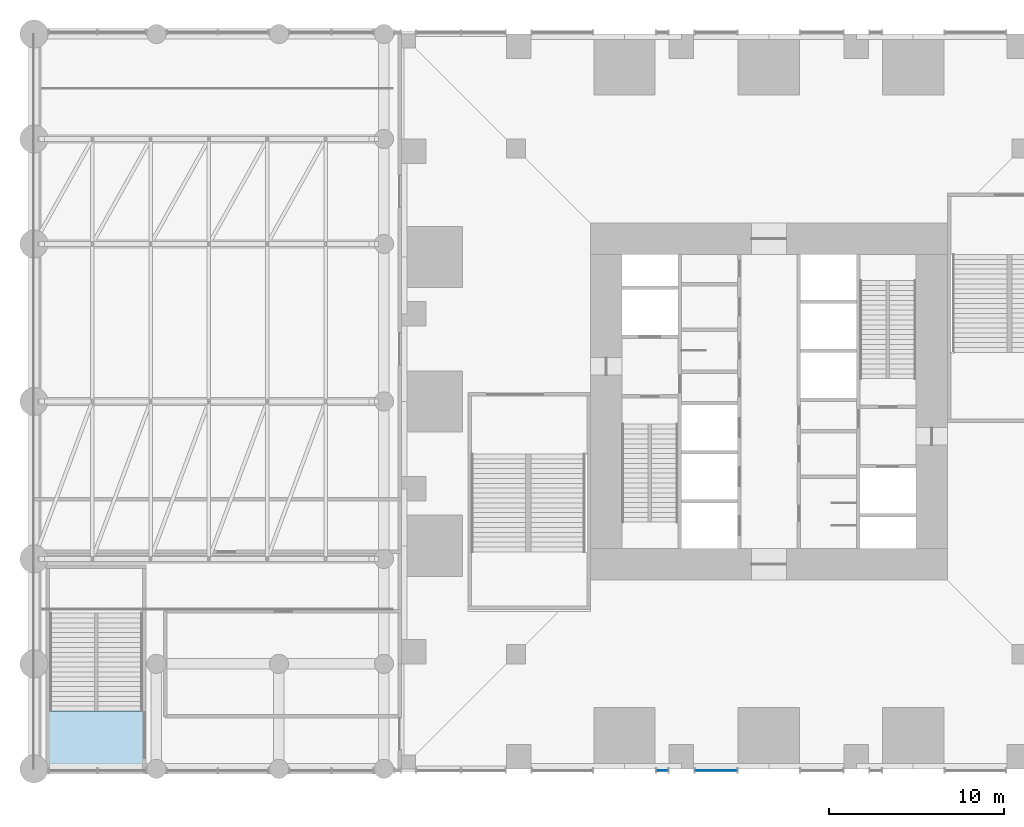
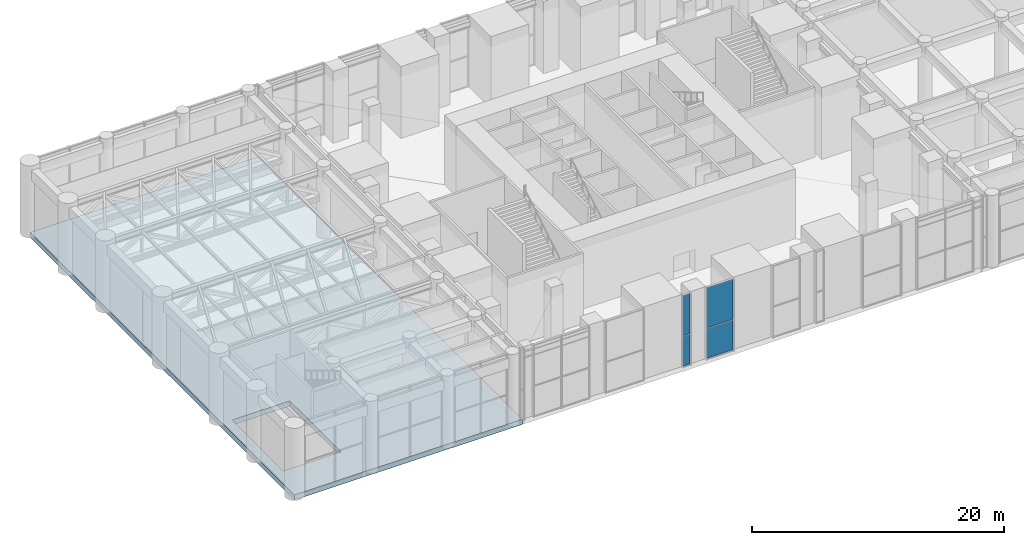
# One storey, part 16 of 30: 4 plates, 1 slab, 2 elements without a shape of their own.
"""IFC4 building model written with IfcOpenShell, lengths in metres."""

from ifc_helpers import new_model, si_unit, direction, frame, origin, origin_2d, place, context, subcontext, project, spatial, polyline, rectangle, outline, extrude, material, layer, layer_set, type_object, element, aggregate, save


model = new_model("IFC4")

# Units and contexts
model_context = context("Model", 3, precision=1e-05, world=origin(), true_north=direction((0.0, 1.0)))
body_context = subcontext(model_context, "Body", "Model", "MODEL_VIEW")
ifc_project = project(units=[si_unit("LENGTHUNIT", "METRE"), si_unit("AREAUNIT", "SQUARE_METRE"), si_unit("VOLUMEUNIT", "CUBIC_METRE"), si_unit("PLANEANGLEUNIT", "RADIAN"), si_unit("MASSUNIT", "GRAM", prefix="KILO")], contexts=[model_context])

# Site, building, storey
site_placement = place(None, origin())
site = spatial("IfcSite", under=ifc_project, at=site_placement, CompositionType="ELEMENT")
building_placement = place(site_placement, origin())
building = spatial("IfcBuilding", under=site, at=building_placement, Name="Svetlomir Tower", CompositionType="ELEMENT")
storey_placement = place(building_placement, frame((0.0, 0.0, 11.0)))
storey = spatial("IfcBuildingStorey", under=building, at=storey_placement, Name="L02", CompositionType="ELEMENT", Elevation=11.0)

# Curtain wall, plates
ifc_material_1 = material(Name="Bronze anodised aluminium curtain wall", Category="aluminium")
curtain_wall_type = type_object("IfcCurtainWallType", Name="CURTAIN WALL CW5 PODIUM", PredefinedType="NOTDEFINED", material=ifc_material_1)
curtain_wall_1_placement = place(storey_placement, origin())
curtain_wall_1 = element("IfcCurtainWall", 1, at=curtain_wall_1_placement, inside=storey, type_object=curtain_wall_type, Name="Curtain wall CW5 L02", PredefinedType="NOTDEFINED")
ifc_material_2 = material(Name="Tinted double glazed unit", Category="glass")
ifc_layer_1 = layer(ifc_material_2, 0.0400390625)
ifc_layer_set_1 = layer_set([ifc_layer_1], Name="Tinted double glazed unit")
plate_type = type_object("IfcPlateType", Name="CW5 GLAZED PANEL 40", PredefinedType="CURTAIN_PANEL", material=ifc_layer_set_1)
plate_1_placement = place(storey_placement, frame((14.89990234375, -0.10009765625, 0.080078125), z_axis=(0.0, 0.0, 1.0), x_axis=(1.0, 0.0, 0.0)))
plate_1 = element("IfcPlate", 2, at=plate_1_placement, type_object=plate_type, Name="CW5 panel 1.1", PredefinedType="CURTAIN_PANEL", context=body_context, shape_type="SweptSolid", body=[
    extrude(rectangle(XDim=0.639892578125, YDim=0.0400390625, at=origin_2d()), origin(), (0.0, 0.0, 1.0), 2.8798828125),
])
plate_2_placement = place(storey_placement, frame((14.89990234375, -0.10009765625, 3.0400390625), z_axis=(0.0, 0.0, 1.0), x_axis=(1.0, 0.0, 0.0)))
plate_2 = element("IfcPlate", 3, at=plate_2_placement, type_object=plate_type, Name="CW5 panel 1.2", PredefinedType="CURTAIN_PANEL", context=body_context, shape_type="SweptSolid", body=[
    extrude(rectangle(XDim=0.639892578125, YDim=0.0400390625, at=origin_2d()), origin(), (0.0, 0.0, 1.0), 3.8798828125),
])
aggregate(curtain_wall_1, [plate_1, plate_2])

curtain_wall_2_placement = place(storey_placement, origin())
curtain_wall_2 = element("IfcCurtainWall", 4, at=curtain_wall_2_placement, inside=storey, type_object=curtain_wall_type, Name="Curtain wall CW5 L02", PredefinedType="NOTDEFINED")
plate_3_placement = place(storey_placement, frame((17.97509765625, -0.10009765625, 0.080078125), z_axis=(0.0, 0.0, 1.0), x_axis=(1.0, 0.0, 0.0)))
plate_3 = element("IfcPlate", 5, at=plate_3_placement, type_object=plate_type, Name="CW5 panel 1.1", PredefinedType="CURTAIN_PANEL", context=body_context, shape_type="SweptSolid", body=[
    extrude(rectangle(XDim=2.389892578125, YDim=0.0400390625, at=origin_2d()), origin(), (0.0, 0.0, 1.0), 2.8798828125),
])
plate_4_placement = place(storey_placement, frame((17.97509765625, -0.10009765625, 3.0400390625), z_axis=(0.0, 0.0, 1.0), x_axis=(1.0, 0.0, 0.0)))
plate_4 = element("IfcPlate", 6, at=plate_4_placement, type_object=plate_type, Name="CW5 panel 1.2", PredefinedType="CURTAIN_PANEL", context=body_context, shape_type="SweptSolid", body=[
    extrude(rectangle(XDim=2.389892578125, YDim=0.0400390625, at=origin_2d()), origin(), (0.0, 0.0, 1.0), 3.8798828125),
])
aggregate(curtain_wall_2, [plate_3, plate_4])

# Slab
ifc_material_3 = material(Name="Concrete C60/75", Category="concrete")
ifc_layer_2 = layer(ifc_material_3, 0.5)
ifc_layer_set_2 = layer_set([ifc_layer_2], Name="Concrete C60/75")
slab_type = type_object("IfcSlabType", Name="FLOOR SLAB 500", PredefinedType="FLOOR", material=ifc_layer_set_2)
slab_placement = place(storey_placement, frame((0.0, 0.0, -0.5)))
element("IfcSlab", 7, at=slab_placement, inside=storey, type_object=slab_type, Name="L02 floor slab west wing", PredefinedType="FLOOR", context=body_context, shape_type="SweptSolid", body=[
    extrude(outline(polyline([(-21.0, 0.0), (-0.050048828125, 0.0), (-0.050048828125, 42.0), (-21.0, 42.0), (-21.0, 0.0)]), holes=[polyline([(-20.10009765625, 3.320068359375), (-14.800048828125, 3.320068359375), (-14.800048828125, 11.449951171875), (-20.10009765625, 11.449951171875), (-20.10009765625, 3.320068359375)])]), origin(), (0.0, 0.0, 1.0), 0.5),
])

save(model, "model.ifc")
